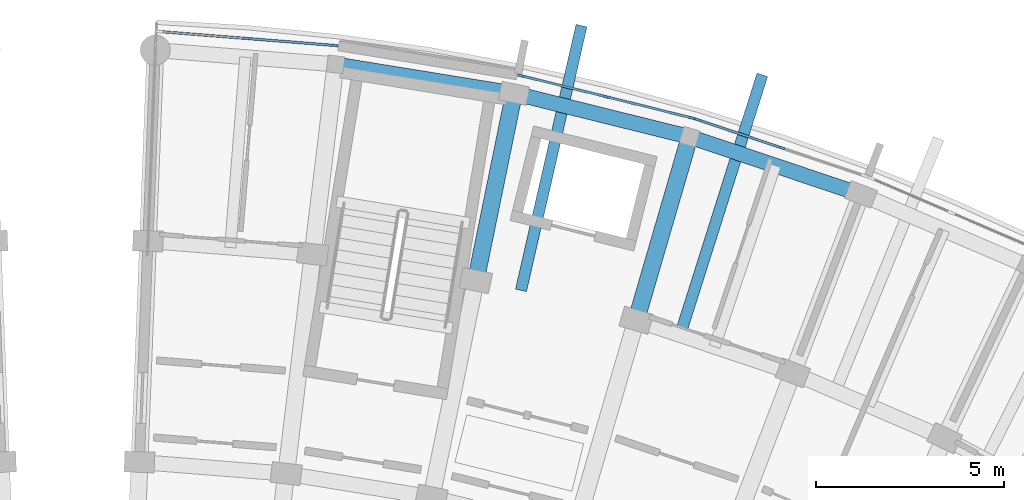
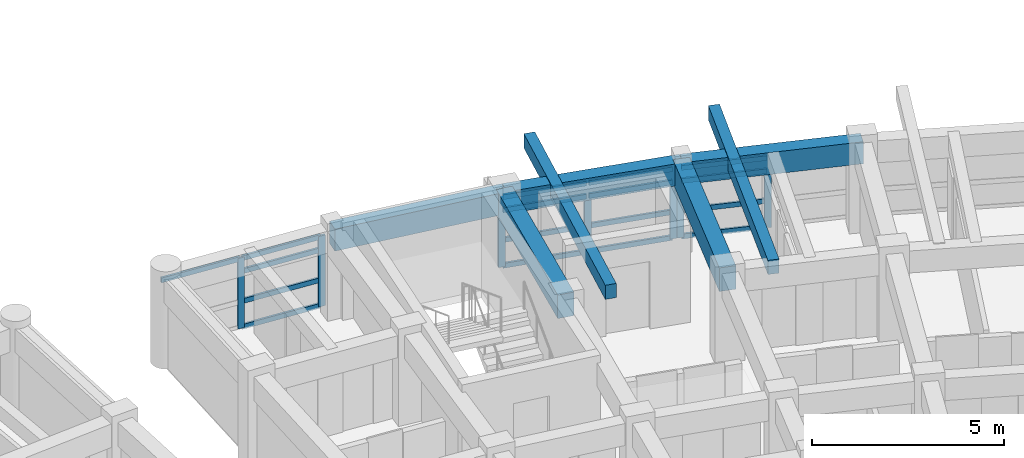
# One storey, part 8 of 56: 24 members, 7 beams, 3 elements without a shape of their own.
"""IFC4 building model written with IfcOpenShell, lengths in metres."""

from ifc_helpers import new_model, si_unit, direction, frame, origin, origin_2d, place, context, subcontext, project, spatial, rectangle, extrude, material, material_profile, profile_set, type_object, element, aggregate, save


model = new_model("IFC4")

# Units and contexts
model_context = context("Model", 3, precision=1e-05, world=origin(), true_north=direction((0.0, 1.0)))
body_context = subcontext(model_context, "Body", "Model", "MODEL_VIEW")
ifc_project = project(units=[si_unit("LENGTHUNIT", "METRE"), si_unit("AREAUNIT", "SQUARE_METRE"), si_unit("VOLUMEUNIT", "CUBIC_METRE"), si_unit("PLANEANGLEUNIT", "RADIAN"), si_unit("MASSUNIT", "GRAM", prefix="KILO")], contexts=[model_context])

# Site, building, storey
site_placement = place(None, origin())
site = spatial("IfcSite", under=ifc_project, at=site_placement, CompositionType="ELEMENT")
building_placement = place(site_placement, origin())
building = spatial("IfcBuilding", under=site, at=building_placement, Name="Zimvara Arc Housing Community", CompositionType="ELEMENT")
storey_placement = place(building_placement, frame((0.0, 0.0, 11.199951171875)))
storey = spatial("IfcBuildingStorey", under=building, at=storey_placement, Name="L03", CompositionType="ELEMENT", Elevation=11.199951171875)

# Beams
ifc_material_1 = material(Name="Concrete C40/50", Category="concrete")
ifc_material_profile_1 = material_profile(ifc_material_1, rectangle(XDim=0.300048828125, YDim=0.449951171875, at=origin_2d()), Name="RC 300x450")
ifc_profile_set_1 = profile_set([ifc_material_profile_1], Name="Concrete C40/50")
beam_type_1 = type_object("IfcBeamType", Name="BM-RC-300x450", PredefinedType="JOIST", material=ifc_profile_set_1)
beam_1_placement = place(storey_placement, frame((56.983642578125, 96.9482421875, 2.6650390625), z_axis=(0.222762368322, 0.974872774909, 0.0), x_axis=(-0.974872774909, 0.222762368322, 0.0)))
element("IfcBeam", 1, at=beam_1_placement, inside=storey, type_object=beam_type_1, Name="bm:blkB:L03:cant_out:b2", PredefinedType="JOIST", context=body_context, shape_type="SweptSolid", body=[
    extrude(rectangle(XDim=0.300048828125, YDim=0.449951171875, at=origin_2d()), origin(), (0.0, 0.0, 1.0), 7.22021484375),
])
beam_2_placement = place(storey_placement, frame((61.22314453125, 95.795654296875, 2.6650390625), z_axis=(0.301521356078, 0.953459423273, 0.0), x_axis=(-0.953459423273, 0.301521356078, 0.0)))
element("IfcBeam", 2, at=beam_2_placement, inside=storey, type_object=beam_type_1, Name="bm:blkB:L03:cant_out:b3", PredefinedType="JOIST", context=body_context, shape_type="SweptSolid", body=[
    extrude(rectangle(XDim=0.300048828125, YDim=0.449951171875, at=origin_2d()), origin(), (0.0, 0.0, 1.0), 7.219970703125),
])
ifc_material_2 = material(Name="Concrete C40/50", Category="concrete")
ifc_material_profile_2 = material_profile(ifc_material_2, rectangle(XDim=0.39990234375, YDim=0.699951171875, at=origin_2d()), Name="RC 400x700")
ifc_profile_set_2 = profile_set([ifc_material_profile_2], Name="Concrete C40/50")
beam_type_2 = type_object("IfcBeamType", Name="BM-RC-400x700", PredefinedType="BEAM", material=ifc_profile_set_2)
beam_3_placement = place(storey_placement, frame((52.05322265625, 102.9560546875, 2.510009765625), z_axis=(0.987076839731, -0.160247659784, 0.0), x_axis=(0.160247659784, 0.987076839731, 0.0)))
element("IfcBeam", 3, at=beam_3_placement, inside=storey, type_object=beam_type_2, Name="bm:blkB:L03:chord:r3:b1", PredefinedType="BEAM", context=body_context, shape_type="SweptSolid", body=[
    extrude(rectangle(XDim=0.39990234375, YDim=0.699951171875, at=origin_2d()), origin(), (0.0, 0.0, 1.0), 4.808349609375),
])
beam_4_placement = place(storey_placement, frame((56.79931640625, 102.185546875, 2.510009765625), z_axis=(0.970716235341, -0.240229037474, 0.0), x_axis=(0.240229037474, 0.970716235341, 0.0)))
element("IfcBeam", 4, at=beam_4_placement, inside=storey, type_object=beam_type_2, Name="bm:blkB:L03:chord:r3:b2", PredefinedType="BEAM", context=body_context, shape_type="SweptSolid", body=[
    extrude(rectangle(XDim=0.39990234375, YDim=0.699951171875, at=origin_2d()), origin(), (0.0, 0.0, 1.0), 4.80810546875),
])
beam_5_placement = place(storey_placement, frame((61.466552734375, 101.030517578125, 2.510009765625), z_axis=(0.947877948153, -0.31863363822, 0.0), x_axis=(0.31863363822, 0.947877948153, 0.0)))
element("IfcBeam", 5, at=beam_5_placement, inside=storey, type_object=beam_type_2, Name="bm:blkB:L03:chord:r3:b3", PredefinedType="BEAM", context=body_context, shape_type="SweptSolid", body=[
    extrude(rectangle(XDim=0.39990234375, YDim=0.699951171875, at=origin_2d()), origin(), (0.0, 0.0, 1.0), 4.807861328125),
])
ifc_material_3 = material(Name="Concrete C40/50", Category="concrete")
ifc_material_profile_3 = material_profile(ifc_material_3, rectangle(XDim=0.449951171875, YDim=0.75, at=origin_2d()), Name="RC 450x750")
ifc_profile_set_3 = profile_set([ifc_material_profile_3], Name="Concrete C40/50")
beam_type_3 = type_object("IfcBeamType", Name="BM-RC-450x750", PredefinedType="BEAM", material=ifc_profile_set_3)
for number, where, z_axis, x_axis, name in (
    (6, (55.78125, 97.208740234375, 2.485107421875), (0.200411962389, 0.97971171542, 0.0), (-0.97971171542, 0.200411962389, 0.0), "bm:blkB:L03:rad:b2:r23"),
    (7, (60.0458984375, 96.1533203125, 2.485107421875), (0.279662254096, 0.960098444762, 0.0), (-0.960098444762, 0.279662254096, 0.0), "bm:blkB:L03:rad:b3:r23"),
):
    element("IfcBeam", number, at=place(storey_placement, frame(where, z_axis=z_axis, x_axis=x_axis)), inside=storey, type_object=beam_type_3, Name=name, PredefinedType="BEAM", context=body_context, shape_type="SweptSolid", body=[
        extrude(rectangle(XDim=0.449951171875, YDim=0.75, at=origin_2d()), origin(), (0.0, 0.0, 1.0), 5.079833984375),
    ])

# Curtain wall, members
ifc_material_4 = material(Name="Anodised Aluminium AW-6063", Category="aluminium")
curtain_wall_type_1 = type_object("IfcCurtainWallType", Name="CW-SYS-07", PredefinedType="USERDEFINED", material=ifc_material_4)
curtain_wall_1_placement = place(storey_placement, origin())
curtain_wall_1 = element("IfcCurtainWall", 8, at=curtain_wall_1_placement, inside=storey, type_object=curtain_wall_type_1, Name="cw:blkB:L03:out:b0", ObjectType="CURTAIN WALL", PredefinedType="USERDEFINED")
ifc_material_5 = material(Name="Anodised Aluminium AW-6063", Category="aluminium")
ifc_material_profile_4 = material_profile(ifc_material_5, rectangle(XDim=0.06494140625, YDim=0.195068359375, at=origin_2d()), Name="ALU 65x195")
ifc_profile_set_4 = profile_set([ifc_material_profile_4], Name="Anodised Aluminium AW-6063")
member_type_1 = type_object("IfcMemberType", Name="CWM-65x180", PredefinedType="MULLION", material=ifc_profile_set_4)
member_1_placement = place(storey_placement, frame((49.6962890625, 103.644287109375, 0.0), z_axis=(0.0, 0.0, 1.0), x_axis=(0.079153759607, 0.996862418963, 0.0)))
member_1 = element("IfcMember", 9, at=member_1_placement, type_object=member_type_1, Name="CW07 mullion 2", PredefinedType="MULLION", context=body_context, shape_type="SweptSolid", body=[
    extrude(rectangle(XDim=0.06494140625, YDim=0.195068359375, at=origin_2d()), origin(), (0.0, 0.0, 1.0), 2.25),
])
member_2_placement = place(storey_placement, frame((52.02099609375, 103.459716796875, 0.0), z_axis=(0.0, 0.0, 1.0), x_axis=(0.079153759607, 0.996862418963, 0.0)))
member_2 = element("IfcMember", 10, at=member_2_placement, type_object=member_type_1, Name="CW07 mullion 3", PredefinedType="MULLION", context=body_context, shape_type="SweptSolid", body=[
    extrude(rectangle(XDim=0.06494140625, YDim=0.195068359375, at=origin_2d()), origin(), (0.0, 0.0, 1.0), 2.25),
])

ifc_material_6 = material(Name="Anodised Aluminium AW-6063", Category="aluminium")
curtain_wall_type_2 = type_object("IfcCurtainWallType", Name="CW-SYS-01", PredefinedType="USERDEFINED", material=ifc_material_6)
curtain_wall_2_placement = place(storey_placement, origin())
curtain_wall_2 = element("IfcCurtainWall", 11, at=curtain_wall_2_placement, inside=storey, type_object=curtain_wall_type_2, Name="cw:blkB:L03:out:b2", ObjectType="CURTAIN WALL", PredefinedType="USERDEFINED")
member_3_placement = place(storey_placement, frame((56.9892578125, 102.6533203125, 0.0), z_axis=(0.0, 0.0, 1.0), x_axis=(0.240229711131, 0.970716068627, 0.0)))
member_3 = element("IfcMember", 12, at=member_3_placement, type_object=member_type_1, Name="CW01 mullion 1", PredefinedType="MULLION", context=body_context, shape_type="SweptSolid", body=[
    extrude(rectangle(XDim=0.06494140625, YDim=0.195068359375, at=origin_2d()), origin(), (0.0, 0.0, 1.0), 2.25),
])
member_4_placement = place(storey_placement, frame((59.2529296875, 102.093017578125, 0.0), z_axis=(0.0, 0.0, 1.0), x_axis=(0.240229711131, 0.970716068627, 0.0)))
member_4 = element("IfcMember", 13, at=member_4_placement, type_object=member_type_1, Name="CW01 mullion 2", PredefinedType="MULLION", context=body_context, shape_type="SweptSolid", body=[
    extrude(rectangle(XDim=0.06494140625, YDim=0.195068359375, at=origin_2d()), origin(), (0.0, 0.0, 1.0), 2.25),
])
member_5_placement = place(storey_placement, frame((61.5166015625, 101.532958984375, 0.0), z_axis=(0.0, 0.0, 1.0), x_axis=(0.240229711131, 0.970716068627, 0.0)))
member_5 = element("IfcMember", 14, at=member_5_placement, type_object=member_type_1, Name="CW01 mullion 3", PredefinedType="MULLION", context=body_context, shape_type="SweptSolid", body=[
    extrude(rectangle(XDim=0.06494140625, YDim=0.195068359375, at=origin_2d()), origin(), (0.0, 0.0, 1.0), 2.25),
])

ifc_material_7 = material(Name="Anodised Aluminium AW-6063", Category="aluminium")
curtain_wall_type_3 = type_object("IfcCurtainWallType", Name="CW-SYS-03", PredefinedType="USERDEFINED", material=ifc_material_7)
curtain_wall_3_placement = place(storey_placement, origin())
curtain_wall_3 = element("IfcCurtainWall", 15, at=curtain_wall_3_placement, inside=storey, type_object=curtain_wall_type_3, Name="cw:blkB:L03:out:b3", ObjectType="CURTAIN WALL", PredefinedType="USERDEFINED")
member_6_placement = place(storey_placement, frame((61.694091796875, 101.481201171875, 0.0), z_axis=(0.0, 0.0, 1.0), x_axis=(0.318628583921, 0.947879647164, 0.0)))
member_6 = element("IfcMember", 16, at=member_6_placement, type_object=member_type_1, Name="CW03 mullion 1", PredefinedType="MULLION", context=body_context, shape_type="SweptSolid", body=[
    extrude(rectangle(XDim=0.06494140625, YDim=0.195068359375, at=origin_2d()), origin(), (0.0, 0.0, 1.0), 2.25),
])
member_7_placement = place(storey_placement, frame((63.904296875, 100.73828125, 0.0), z_axis=(0.0, 0.0, 1.0), x_axis=(0.318628583921, 0.947879647164, 0.0)))
member_7 = element("IfcMember", 17, at=member_7_placement, type_object=member_type_1, Name="CW03 mullion 2", PredefinedType="MULLION", context=body_context, shape_type="SweptSolid", body=[
    extrude(rectangle(XDim=0.06494140625, YDim=0.195068359375, at=origin_2d()), origin(), (0.0, 0.0, 1.0), 2.25),
])

# Member
ifc_material_8 = material(Name="Anodised Aluminium AW-6063", Category="aluminium")
ifc_material_profile_5 = material_profile(ifc_material_8, rectangle(XDim=0.06494140625, YDim=0.155029296875, at=origin_2d()), Name="ALU 65x155")
ifc_profile_set_5 = profile_set([ifc_material_profile_5], Name="Anodised Aluminium AW-6063")
member_type_2 = type_object("IfcMemberType", Name="CWT-65x140", PredefinedType="USERDEFINED", material=ifc_profile_set_5)
member_8_placement = place(storey_placement, frame((47.404052734375, 103.826416015625, 2.217529296875), z_axis=(0.996862021022, -0.079158771116, 0.0), x_axis=(0.079158771116, 0.996862021022, 0.0)))
member_8 = element("IfcMember", 18, at=member_8_placement, type_object=member_type_2, Name="CW07 transom 1.4", ObjectType="TRANSOM", PredefinedType="USERDEFINED", context=body_context, shape_type="SweptSolid", body=[
    extrude(rectangle(XDim=0.06494140625, YDim=0.155029296875, at=origin_2d()), origin(), (0.0, 0.0, 1.0), 2.266845703125),
])

member_9_placement = place(storey_placement, frame((49.728759765625, 103.641845703125, 0.032470703125), z_axis=(0.996862021022, -0.079158771116, 0.0), x_axis=(0.079158771116, 0.996862021022, 0.0)))
member_9 = element("IfcMember", 19, at=member_9_placement, type_object=member_type_2, Name="CW07 transom 2.1", ObjectType="TRANSOM", PredefinedType="USERDEFINED", context=body_context, shape_type="SweptSolid", body=[
    extrude(rectangle(XDim=0.06494140625, YDim=0.155029296875, at=origin_2d()), origin(), (0.0, 0.0, 1.0), 2.266845703125),
])

member_10_placement = place(storey_placement, frame((49.728759765625, 103.641845703125, 0.85009765625), z_axis=(0.996862021022, -0.079158771116, 0.0), x_axis=(0.079158771116, 0.996862021022, 0.0)))
member_10 = element("IfcMember", 20, at=member_10_placement, type_object=member_type_2, Name="CW07 transom 2.2", ObjectType="TRANSOM", PredefinedType="USERDEFINED", context=body_context, shape_type="SweptSolid", body=[
    extrude(rectangle(XDim=0.06494140625, YDim=0.155029296875, at=origin_2d()), origin(), (0.0, 0.0, 1.0), 2.266845703125),
])

member_11_placement = place(storey_placement, frame((49.728759765625, 103.641845703125, 1.800048828125), z_axis=(0.996862021022, -0.079158771116, 0.0), x_axis=(0.079158771116, 0.996862021022, 0.0)))
member_11 = element("IfcMember", 21, at=member_11_placement, type_object=member_type_2, Name="CW07 transom 2.3", ObjectType="TRANSOM", PredefinedType="USERDEFINED", context=body_context, shape_type="SweptSolid", body=[
    extrude(rectangle(XDim=0.06494140625, YDim=0.155029296875, at=origin_2d()), origin(), (0.0, 0.0, 1.0), 2.266845703125),
])

member_12_placement = place(storey_placement, frame((49.728759765625, 103.641845703125, 2.217529296875), z_axis=(0.996862021022, -0.079158771116, 0.0), x_axis=(0.079158771116, 0.996862021022, 0.0)))
member_12 = element("IfcMember", 22, at=member_12_placement, type_object=member_type_2, Name="CW07 transom 2.4", ObjectType="TRANSOM", PredefinedType="USERDEFINED", context=body_context, shape_type="SweptSolid", body=[
    extrude(rectangle(XDim=0.06494140625, YDim=0.155029296875, at=origin_2d()), origin(), (0.0, 0.0, 1.0), 2.266845703125),
])

aggregate(curtain_wall_1, [member_1, member_2, member_8, member_9, member_10, member_11, member_12])

member_13_placement = place(storey_placement, frame((57.020751953125, 102.6455078125, 0.032470703125), z_axis=(0.970703721793, -0.240279596507, 0.0), x_axis=(0.240279596507, 0.970703721793, 0.0)))
member_13 = element("IfcMember", 23, at=member_13_placement, type_object=member_type_2, Name="CW01 transom 1.1", ObjectType="TRANSOM", PredefinedType="USERDEFINED", context=body_context, shape_type="SweptSolid", body=[
    extrude(rectangle(XDim=0.06494140625, YDim=0.155029296875, at=origin_2d()), origin(), (0.0, 0.0, 1.0), 2.266845703125),
])

member_14_placement = place(storey_placement, frame((57.020751953125, 102.6455078125, 0.85009765625), z_axis=(0.970703721793, -0.240279596507, 0.0), x_axis=(0.240279596507, 0.970703721793, 0.0)))
member_14 = element("IfcMember", 24, at=member_14_placement, type_object=member_type_2, Name="CW01 transom 1.2", ObjectType="TRANSOM", PredefinedType="USERDEFINED", context=body_context, shape_type="SweptSolid", body=[
    extrude(rectangle(XDim=0.06494140625, YDim=0.155029296875, at=origin_2d()), origin(), (0.0, 0.0, 1.0), 2.266845703125),
])

member_15_placement = place(storey_placement, frame((57.020751953125, 102.6455078125, 1.800048828125), z_axis=(0.970703721793, -0.240279596507, 0.0), x_axis=(0.240279596507, 0.970703721793, 0.0)))
member_15 = element("IfcMember", 25, at=member_15_placement, type_object=member_type_2, Name="CW01 transom 1.3", ObjectType="TRANSOM", PredefinedType="USERDEFINED", context=body_context, shape_type="SweptSolid", body=[
    extrude(rectangle(XDim=0.06494140625, YDim=0.155029296875, at=origin_2d()), origin(), (0.0, 0.0, 1.0), 2.266845703125),
])

member_16_placement = place(storey_placement, frame((57.020751953125, 102.6455078125, 2.217529296875), z_axis=(0.970703721793, -0.240279596507, 0.0), x_axis=(0.240279596507, 0.970703721793, 0.0)))
member_16 = element("IfcMember", 26, at=member_16_placement, type_object=member_type_2, Name="CW01 transom 1.4", ObjectType="TRANSOM", PredefinedType="USERDEFINED", context=body_context, shape_type="SweptSolid", body=[
    extrude(rectangle(XDim=0.06494140625, YDim=0.155029296875, at=origin_2d()), origin(), (0.0, 0.0, 1.0), 2.266845703125),
])

member_17_placement = place(storey_placement, frame((59.284423828125, 102.085205078125, 0.032470703125), z_axis=(0.970728837212, -0.240178110172, 0.0), x_axis=(0.240178110172, 0.970728837212, 0.0)))
member_17 = element("IfcMember", 27, at=member_17_placement, type_object=member_type_2, Name="CW01 transom 2.1", ObjectType="TRANSOM", PredefinedType="USERDEFINED", context=body_context, shape_type="SweptSolid", body=[
    extrude(rectangle(XDim=0.06494140625, YDim=0.155029296875, at=origin_2d()), origin(), (0.0, 0.0, 1.0), 2.266845703125),
])

member_18_placement = place(storey_placement, frame((59.284423828125, 102.085205078125, 0.85009765625), z_axis=(0.970728837212, -0.240178110172, 0.0), x_axis=(0.240178110172, 0.970728837212, 0.0)))
member_18 = element("IfcMember", 28, at=member_18_placement, type_object=member_type_2, Name="CW01 transom 2.2", ObjectType="TRANSOM", PredefinedType="USERDEFINED", context=body_context, shape_type="SweptSolid", body=[
    extrude(rectangle(XDim=0.06494140625, YDim=0.155029296875, at=origin_2d()), origin(), (0.0, 0.0, 1.0), 2.266845703125),
])

member_19_placement = place(storey_placement, frame((59.284423828125, 102.085205078125, 1.800048828125), z_axis=(0.970728837212, -0.240178110172, 0.0), x_axis=(0.240178110172, 0.970728837212, 0.0)))
member_19 = element("IfcMember", 29, at=member_19_placement, type_object=member_type_2, Name="CW01 transom 2.3", ObjectType="TRANSOM", PredefinedType="USERDEFINED", context=body_context, shape_type="SweptSolid", body=[
    extrude(rectangle(XDim=0.06494140625, YDim=0.155029296875, at=origin_2d()), origin(), (0.0, 0.0, 1.0), 2.266845703125),
])

member_20_placement = place(storey_placement, frame((59.284423828125, 102.085205078125, 2.217529296875), z_axis=(0.970728837212, -0.240178110172, 0.0), x_axis=(0.240178110172, 0.970728837212, 0.0)))
member_20 = element("IfcMember", 30, at=member_20_placement, type_object=member_type_2, Name="CW01 transom 2.4", ObjectType="TRANSOM", PredefinedType="USERDEFINED", context=body_context, shape_type="SweptSolid", body=[
    extrude(rectangle(XDim=0.06494140625, YDim=0.155029296875, at=origin_2d()), origin(), (0.0, 0.0, 1.0), 2.266845703125),
])

aggregate(curtain_wall_2, [member_3, member_4, member_5, member_13, member_14, member_15, member_16, member_17, member_18, member_19, member_20])

member_21_placement = place(storey_placement, frame((61.724853515625, 101.470947265625, 0.032470703125), z_axis=(0.947861605379, -0.318682250916, 0.0), x_axis=(0.318682250916, 0.947861605379, 0.0)))
member_21 = element("IfcMember", 31, at=member_21_placement, type_object=member_type_2, Name="CW03 transom 1.1", ObjectType="TRANSOM", PredefinedType="USERDEFINED", context=body_context, shape_type="SweptSolid", body=[
    extrude(rectangle(XDim=0.06494140625, YDim=0.155029296875, at=origin_2d()), origin(), (0.0, 0.0, 1.0), 2.266845703125),
])

member_22_placement = place(storey_placement, frame((61.724853515625, 101.470947265625, 0.85009765625), z_axis=(0.947861605379, -0.318682250916, 0.0), x_axis=(0.318682250916, 0.947861605379, 0.0)))
member_22 = element("IfcMember", 32, at=member_22_placement, type_object=member_type_2, Name="CW03 transom 1.2", ObjectType="TRANSOM", PredefinedType="USERDEFINED", context=body_context, shape_type="SweptSolid", body=[
    extrude(rectangle(XDim=0.06494140625, YDim=0.155029296875, at=origin_2d()), origin(), (0.0, 0.0, 1.0), 2.266845703125),
])

member_23_placement = place(storey_placement, frame((61.724853515625, 101.470947265625, 1.800048828125), z_axis=(0.947861605379, -0.318682250916, 0.0), x_axis=(0.318682250916, 0.947861605379, 0.0)))
member_23 = element("IfcMember", 33, at=member_23_placement, type_object=member_type_2, Name="CW03 transom 1.3", ObjectType="TRANSOM", PredefinedType="USERDEFINED", context=body_context, shape_type="SweptSolid", body=[
    extrude(rectangle(XDim=0.06494140625, YDim=0.155029296875, at=origin_2d()), origin(), (0.0, 0.0, 1.0), 2.266845703125),
])

member_24_placement = place(storey_placement, frame((61.724853515625, 101.470947265625, 2.217529296875), z_axis=(0.947861605379, -0.318682250916, 0.0), x_axis=(0.318682250916, 0.947861605379, 0.0)))
member_24 = element("IfcMember", 34, at=member_24_placement, type_object=member_type_2, Name="CW03 transom 1.4", ObjectType="TRANSOM", PredefinedType="USERDEFINED", context=body_context, shape_type="SweptSolid", body=[
    extrude(rectangle(XDim=0.06494140625, YDim=0.155029296875, at=origin_2d()), origin(), (0.0, 0.0, 1.0), 2.266845703125),
])

aggregate(curtain_wall_3, [member_6, member_7, member_21, member_22, member_23, member_24])

save(model, "model.ifc")
